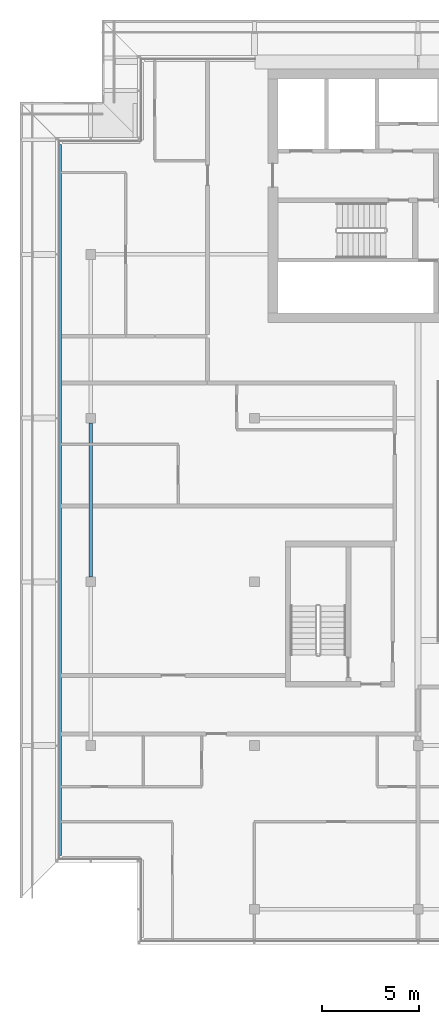
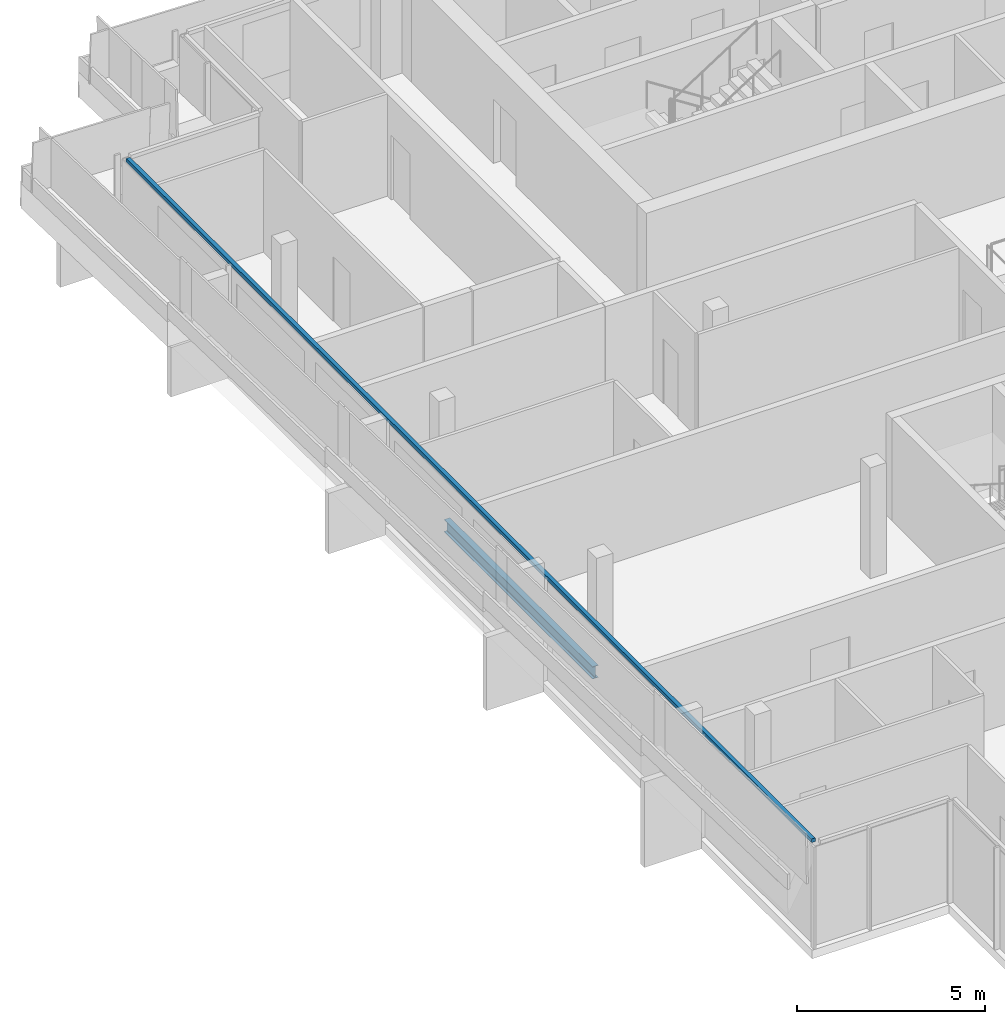
# One storey, part 3 of 26: 1 beam, 1 member, 1 element without a shape of its own.
"""IFC4 building model written with IfcOpenShell, lengths in metres."""

from ifc_helpers import new_model, si_unit, direction, frame, origin, origin_2d, place, context, subcontext, project, spatial, rectangle, i_section, extrude, material, material_profile, profile_set, type_object, element, aggregate, save


model = new_model("IFC4")

# Units and contexts
model_context = context("Model", 3, precision=1e-05, world=origin(), true_north=direction((0.0, 1.0)))
body_context = subcontext(model_context, "Body", "Model", "MODEL_VIEW")
ifc_project = project(units=[si_unit("LENGTHUNIT", "METRE"), si_unit("AREAUNIT", "SQUARE_METRE"), si_unit("VOLUMEUNIT", "CUBIC_METRE"), si_unit("PLANEANGLEUNIT", "RADIAN"), si_unit("MASSUNIT", "GRAM", prefix="KILO")], contexts=[model_context])

# Site, building, storey
site_placement = place(None, origin())
site = spatial("IfcSite", under=ifc_project, at=site_placement, CompositionType="ELEMENT")
building_placement = place(site_placement, origin())
building = spatial("IfcBuilding", under=site, at=building_placement, Name="Saffron Gate Tower", CompositionType="ELEMENT")
storey_placement = place(building_placement, frame((0.0, 0.0, 277.949951171875)))
storey = spatial("IfcBuildingStorey", under=building, at=storey_placement, Name="L67", CompositionType="ELEMENT", Elevation=277.949951171875)

# Beam
ifc_material_1 = material(Name="Structural steel S355", Category="steel")
ifc_material_profile_1 = material_profile(ifc_material_1, i_section(OverallWidth=0.179931640625, OverallDepth=0.39990234375, WebThickness=0.008544921875, FlangeThickness=0.013427734375, FilletRadius=0.02099609375, at=origin_2d()))
ifc_profile_set_1 = profile_set([ifc_material_profile_1], Name="Structural steel S355")
beam_type = type_object("IfcBeamType", Name="B5 IPE 400", PredefinedType="SPANDREL", material=ifc_profile_set_1)
beam_placement = place(storey_placement, frame((58.199951171875, 48.85009765625, -0.47998046875), z_axis=(0.0, 1.0, 0.0), x_axis=(-1.0, 0.0, 0.0)))
element("IfcBeam", 1, at=beam_placement, inside=storey, type_object=beam_type, Name="B5 SPANDREL BEAM", PredefinedType="SPANDREL", context=body_context, shape_type="SweptSolid", body=[
    extrude(i_section(OverallWidth=0.179931640625, OverallDepth=0.39990234375, WebThickness=0.008544921875, FlangeThickness=0.013427734375, FilletRadius=0.02099609375, at=origin_2d()), origin(), (0.0, 0.0, 1.0), 7.89990234375),
])

# Curtain wall, member
ifc_material_2 = material(Name="Aluminium, bronze anodised", Category="aluminium")
curtain_wall_type = type_object("IfcCurtainWallType", Name="CWS2 curtain wall side facades", PredefinedType="NOTDEFINED", material=ifc_material_2)
curtain_wall_placement = place(storey_placement, origin())
curtain_wall = element("IfcCurtainWall", 2, at=curtain_wall_placement, inside=storey, type_object=curtain_wall_type, Name="CWS2 run 10", PredefinedType="NOTDEFINED")
ifc_material_profile_2 = material_profile(ifc_material_2, rectangle(XDim=0.1201171875, YDim=0.1201171875, at=origin_2d()))
ifc_profile_set_2 = profile_set([ifc_material_profile_2], Name="Aluminium, bronze anodised")
member_type = type_object("IfcMemberType", Name="CWS2 head transom", PredefinedType="USERDEFINED", material=ifc_profile_set_2)
member_placement = place(storey_placement, frame((56.64794921875, 71.031982421875, 3.260009765625), z_axis=(0.0, -1.0, 0.0), x_axis=(1.0, 0.0, 0.0)))
member = element("IfcMember", 3, at=member_placement, type_object=member_type, Name="CWS2 head transom", ObjectType="TRANSOM", PredefinedType="USERDEFINED", context=body_context, shape_type="SweptSolid", body=[
    extrude(rectangle(XDim=0.1201171875, YDim=0.1201171875, at=origin_2d()), origin(), (0.0, 0.0, 1.0), 36.4638671875),
])
aggregate(curtain_wall, [member])

save(model, "model.ifc")
